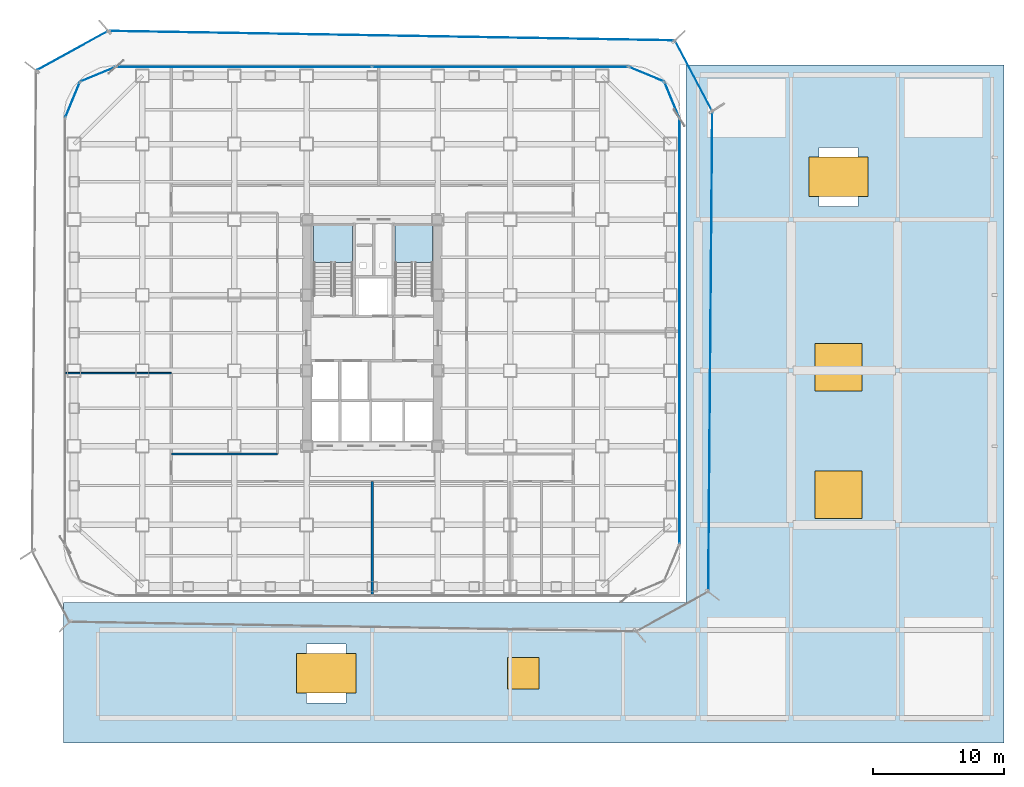
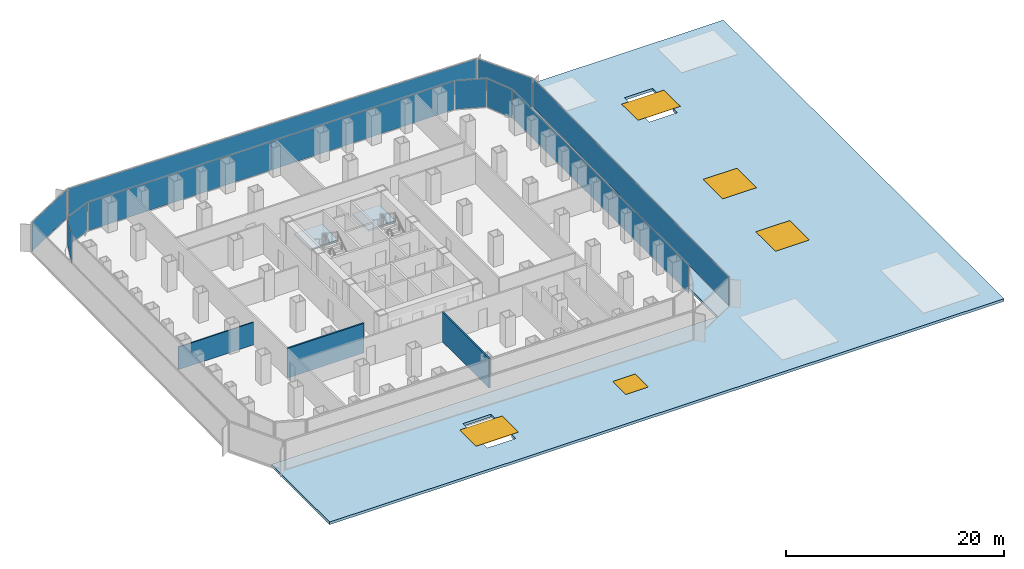
# One storey, part 22 of 27: 11 plates, 5 windows, 3 slabs, 3 walls, 5 openings, 12 elements without a shape of their own.
"""IFC4 building model written with IfcOpenShell, lengths in metres."""

from ifc_helpers import new_model, si_unit, direction, frame, frame_2d, origin, origin_2d, place, context, subcontext, project, spatial, polyline, rectangle, outline, extrude, source, transform, mapped, material, layer, layer_set, type_object, element, fill, aggregate, save


model = new_model("IFC4")

# Units and contexts
model_context = context("Model", 3, precision=1e-05, world=origin(), true_north=direction((0.0, 1.0)))
body_context = subcontext(model_context, "Body", "Model", "MODEL_VIEW")
ifc_project = project(units=[si_unit("LENGTHUNIT", "METRE"), si_unit("AREAUNIT", "SQUARE_METRE"), si_unit("VOLUMEUNIT", "CUBIC_METRE"), si_unit("PLANEANGLEUNIT", "RADIAN"), si_unit("MASSUNIT", "GRAM", prefix="KILO")], contexts=[model_context])

# Site, building, storey
site_placement = place(None, origin())
site = spatial("IfcSite", under=ifc_project, at=site_placement, CompositionType="ELEMENT")
building_placement = place(site_placement, origin())
building = spatial("IfcBuilding", under=site, at=building_placement, Name="Kolveth Station Tower", CompositionType="ELEMENT")
storey_placement = place(building_placement, frame((0.0, 0.0, 22.5)))
storey = spatial("IfcBuildingStorey", under=building, at=storey_placement, Name="L05", CompositionType="ELEMENT", Elevation=22.5)

# Stair, slab
ifc_material_1 = material(Name="Concrete C40/50", Category="concrete")
stair_type_1 = type_object("IfcStairType", Name="Stair_ST2", PredefinedType="HALF_TURN_STAIR", material=ifc_material_1)
stair_1_placement = place(storey_placement, origin())
stair_1 = element("IfcStair", 1, at=stair_1_placement, inside=storey, type_object=stair_type_1, Name="L05 Tower Exit Stair ST2", PredefinedType="HALF_TURN_STAIR")
ifc_layer_1 = layer(ifc_material_1, 0.18994140625)
ifc_layer_set_1 = layer_set([ifc_layer_1], Name="Concrete C40/50")
slab_type_1 = type_object("IfcSlabType", Name="Slab_SL-190", PredefinedType="LANDING", material=ifc_layer_set_1)
slab_1_placement = place(storey_placement, frame((0.0, 0.0, 1.60009765625)))
slab_1 = element("IfcSlab", 2, at=slab_1_placement, type_object=slab_type_1, Name="ST2 landing 1", PredefinedType="LANDING", context=body_context, shape_type="SweptSolid", body=[
    extrude(outline(polyline([(28.10009765625, 25.469970703125), (28.10009765625, 28.39990234375), (25.239990234375, 28.39990234375), (25.239990234375, 25.469970703125), (28.10009765625, 25.469970703125)])), origin(), (0.0, 0.0, 1.0), 0.199951171875),
])
aggregate(stair_1, [slab_1])

stair_type_2 = type_object("IfcStairType", Name="Stair_ST1", PredefinedType="HALF_TURN_STAIR", material=ifc_material_1)
stair_2_placement = place(storey_placement, origin())
stair_2 = element("IfcStair", 3, at=stair_2_placement, inside=storey, type_object=stair_type_2, Name="L05 Tower Exit Stair ST1", PredefinedType="HALF_TURN_STAIR")
ifc_layer_2 = layer(ifc_material_1, 0.205078125)
ifc_layer_set_2 = layer_set([ifc_layer_2], Name="Concrete C40/50")
slab_type_2 = type_object("IfcSlabType", Name="Slab_SL-205", PredefinedType="LANDING", material=ifc_layer_set_2)
slab_2_placement = place(storey_placement, frame((0.0, 0.0, 1.60009765625)))
slab_2 = element("IfcSlab", 4, at=slab_2_placement, type_object=slab_type_2, Name="ST1 landing 1", PredefinedType="LANDING", context=body_context, shape_type="SweptSolid", body=[
    extrude(outline(polyline([(22.0, 25.469970703125), (22.0, 28.39990234375), (19.0400390625, 28.39990234375), (19.0400390625, 25.469970703125), (22.0, 25.469970703125)])), origin(), (0.0, 0.0, 1.0), 0.199951171875),
])
aggregate(stair_2, [slab_2])

# Slab, openings, windows
ifc_material_2 = material(Name="Concrete C45/55", Category="concrete")
ifc_layer_3 = layer(ifc_material_2, 0.300048828125)
ifc_layer_set_3 = layer_set([ifc_layer_3], Name="Concrete C45/55")
slab_type_3 = type_object("IfcSlabType", Name="Slab_SR-300", PredefinedType="ROOF", material=ifc_layer_set_3)
slab_3_placement = place(storey_placement, frame((0.0, 0.0, -0.300048828125)))
slab_3 = element("IfcSlab", 5, at=slab_3_placement, inside=storey, type_object=slab_type_3, Name="L05 Intermodal Station Canopy Roof Slab", PredefinedType="ROOF", context=body_context, shape_type="SweptSolid", body=[
    extrude(outline(polyline([(0.0, -11.10009765625), (71.60009765625, -11.10009765625), (71.60009765625, 40.5), (47.39990234375, 40.5), (47.39990234375, -0.39990234375), (0.0, -0.39990234375), (0.0, -11.10009765625)]), holes=[polyline([(57.199951171875, 6.0), (60.800048828125, 6.0), (60.800048828125, 9.60009765625), (57.199951171875, 9.60009765625), (57.199951171875, 6.0)]), polyline([(57.199951171875, 15.699951171875), (60.800048828125, 15.699951171875), (60.800048828125, 19.300048828125), (57.199951171875, 19.300048828125), (57.199951171875, 15.699951171875)]), polyline([(57.5, 29.75), (60.5, 29.75), (60.5, 34.25), (57.5, 34.25), (57.5, 29.75)]), polyline([(18.5, -8.050048828125), (21.5, -8.050048828125), (21.5, -3.550048828125), (18.5, -3.550048828125), (18.5, -8.050048828125)]), polyline([(33.800048828125, -7.0), (36.199951171875, -7.0), (36.199951171875, -4.60009765625), (33.800048828125, -4.60009765625), (33.800048828125, -7.0)])]), origin(), (0.0, 0.0, 1.0), 0.300048828125),
])
opening_1_placement = place(slab_3_placement, frame((59.0, 7.800048828125, -0.010009765625)))
opening_1 = element("IfcOpeningElement", 6, at=opening_1_placement, cuts=slab_3, Name="Opening SK1", PredefinedType="OPENING", context=body_context, shape_type="SweptSolid", body=[
    extrude(rectangle(XDim=3.60009765625, YDim=3.60009765625, at=origin_2d()), origin(), (0.0, 0.0, 1.0), 0.320068359375),
])
opening_2_placement = place(slab_3_placement, frame((59.0, 17.5, -0.010009765625)))
opening_2 = element("IfcOpeningElement", 7, at=opening_2_placement, cuts=slab_3, Name="Opening SK1", PredefinedType="OPENING", context=body_context, shape_type="SweptSolid", body=[
    extrude(rectangle(XDim=3.60009765625, YDim=3.60009765625, at=origin_2d()), origin(), (0.0, 0.0, 1.0), 0.320068359375),
])
opening_3_placement = place(slab_3_placement, frame((59.0, 32.0, -0.010009765625)))
opening_3 = element("IfcOpeningElement", 8, at=opening_3_placement, cuts=slab_3, Name="Opening SK2", PredefinedType="OPENING", context=body_context, shape_type="SweptSolid", body=[
    extrude(rectangle(XDim=4.5, YDim=3.0, at=origin_2d()), origin(), (0.0, 0.0, 1.0), 0.320068359375),
])
opening_4_placement = place(slab_3_placement, frame((20.0, -5.800048828125, -0.010009765625)))
opening_4 = element("IfcOpeningElement", 9, at=opening_4_placement, cuts=slab_3, Name="Opening SK2", PredefinedType="OPENING", context=body_context, shape_type="SweptSolid", body=[
    extrude(rectangle(XDim=4.5, YDim=3.0, at=origin_2d()), origin(), (0.0, 0.0, 1.0), 0.320068359375),
])
opening_5_placement = place(slab_3_placement, frame((35.0, -5.800048828125, -0.010009765625)))
opening_5 = element("IfcOpeningElement", 10, at=opening_5_placement, cuts=slab_3, Name="Opening SK3", PredefinedType="OPENING", context=body_context, shape_type="SweptSolid", body=[
    extrude(rectangle(XDim=2.39990234375, YDim=2.39990234375, at=origin_2d()), origin(), (0.0, 0.0, 1.0), 0.320068359375),
])
ifc_material_3 = material(Name="Clear laminated skylight glass and aluminium frame", Category="aluminium")
window_type_1 = type_object("IfcWindowType", Name="Win_SK1", PartitioningType="SINGLE_PANEL", PredefinedType="SKYLIGHT", material=ifc_material_3)
window_1_placement = place(opening_1_placement, frame((0.0, 0.0, 0.260009765625)))
window_1 = element("IfcWindow", 11, at=window_1_placement, inside=storey, type_object=window_type_1, Name="L05 Station Canopy Daylight Skylight 1", OverallHeight=3.60009765625, OverallWidth=3.60009765625, PartitioningType="SINGLE_PANEL", PredefinedType="SKYLIGHT", context=body_context, shape_type="SweptSolid", body=[
    extrude(rectangle(XDim=3.60009765625, YDim=3.60009765625, at=origin_2d()), origin(), (0.0, 0.0, 1.0), 0.050048828125),
])
fill(opening_1, window_1)
window_2_placement = place(opening_2_placement, frame((0.0, 0.0, 0.260009765625)))
window_2 = element("IfcWindow", 12, at=window_2_placement, inside=storey, type_object=window_type_1, Name="L05 Station Canopy Daylight Skylight 2", OverallHeight=3.60009765625, OverallWidth=3.60009765625, PartitioningType="SINGLE_PANEL", PredefinedType="SKYLIGHT", context=body_context, shape_type="SweptSolid", body=[
    extrude(rectangle(XDim=3.60009765625, YDim=3.60009765625, at=origin_2d()), origin(), (0.0, 0.0, 1.0), 0.050048828125),
])
fill(opening_2, window_2)
window_type_2 = type_object("IfcWindowType", Name="Win_SK2", PartitioningType="SINGLE_PANEL", PredefinedType="SKYLIGHT", material=ifc_material_3)
window_3_placement = place(opening_3_placement, frame((0.0, 0.0, 0.260009765625)))
window_3 = element("IfcWindow", 13, at=window_3_placement, inside=storey, type_object=window_type_2, Name="L05 Station Canopy Daylight Skylight 3", OverallHeight=3.0, OverallWidth=4.5, PartitioningType="SINGLE_PANEL", PredefinedType="SKYLIGHT", context=body_context, shape_type="SweptSolid", body=[
    extrude(rectangle(XDim=4.5, YDim=3.0, at=origin_2d()), origin(), (0.0, 0.0, 1.0), 0.050048828125),
])
fill(opening_3, window_3)
window_4_placement = place(opening_4_placement, frame((0.0, 0.0, 0.260009765625)))
window_4 = element("IfcWindow", 14, at=window_4_placement, inside=storey, type_object=window_type_2, Name="L05 Station Canopy Daylight Skylight 4", OverallHeight=3.0, OverallWidth=4.5, PartitioningType="SINGLE_PANEL", PredefinedType="SKYLIGHT", context=body_context, shape_type="SweptSolid", body=[
    extrude(rectangle(XDim=4.5, YDim=3.0, at=origin_2d()), origin(), (0.0, 0.0, 1.0), 0.050048828125),
])
fill(opening_4, window_4)
window_type_3 = type_object("IfcWindowType", Name="Win_SK3", PartitioningType="SINGLE_PANEL", PredefinedType="SKYLIGHT", material=ifc_material_3)
window_5_placement = place(opening_5_placement, frame((0.0, 0.0, 0.260009765625)))
window_5 = element("IfcWindow", 15, at=window_5_placement, inside=storey, type_object=window_type_3, Name="L05 Station Canopy Daylight Skylight 5", OverallHeight=2.39990234375, OverallWidth=2.39990234375, PartitioningType="SINGLE_PANEL", PredefinedType="SKYLIGHT", context=body_context, shape_type="SweptSolid", body=[
    extrude(rectangle(XDim=2.39990234375, YDim=2.39990234375, at=origin_2d()), origin(), (0.0, 0.0, 1.0), 0.050048828125),
])
fill(opening_5, window_5)

# Curtain wall, plate
ifc_material_4 = material(Name="Aluminium 6063-T6 and low-E dark glass", Category="aluminium")
ifc_layer_4 = layer(ifc_material_4, 0.179931640625)
ifc_layer_set_4 = layer_set([ifc_layer_4], Name="Aluminium 6063-T6 and low-E dark glass")
curtain_wall_type_1 = type_object("IfcCurtainWallType", Name="CurtainWall_CW-Z1", PredefinedType="NOTDEFINED", material=ifc_layer_set_4)
curtain_wall_1_placement = place(storey_placement, origin())
curtain_wall_1 = element("IfcCurtainWall", 16, at=curtain_wall_1_placement, inside=storey, type_object=curtain_wall_type_1, Name="L05 Inner Thermal Curtain Wall 4", PredefinedType="NOTDEFINED")
ifc_material_5 = material(Name="Architectural low-E dark glass", Category="glass")
ifc_layer_5 = layer(ifc_material_5, 0.035888671875)
ifc_layer_set_5 = layer_set([ifc_layer_5], Name="Architectural low-E dark glass")
plate_type_1 = type_object("IfcPlateType", Name="Panel_GL1", PredefinedType="CURTAIN_PANEL", material=ifc_layer_set_5)
shared_shape_1 = source(origin(), body_context, "Body", "SweptSolid", [
    extrude(rectangle(XDim=2.83349609375, YDim=0.035888671875, at=origin_2d()), origin(), (0.0, 0.0, 1.0), 3.18408203125),
])
plate_1_placement = place(storey_placement, frame((46.311767578125, 37.871826171875, 0.06787109375), z_axis=(0.0, 0.0, 1.0), x_axis=(-0.382672990201, 0.923883857728, 0.0)))
plate_1 = element("IfcPlate", 17, at=plate_1_placement, type_object=plate_type_1, Name="CW-Z1 panel 1.1", PredefinedType="CURTAIN_PANEL", context=body_context, shape_type="MappedRepresentation", body=[
    mapped(shared_shape_1, transform((0.0, 0.0, 0.0), x_axis=(1.0, 0.0, 0.0), y_axis=(0.0, 1.0, 0.0), z_axis=(0.0, 0.0, 1.0), scale=1.0)),
])
aggregate(curtain_wall_1, [plate_1])

curtain_wall_2_placement = place(storey_placement, origin())
curtain_wall_2 = element("IfcCurtainWall", 18, at=curtain_wall_2_placement, inside=storey, type_object=curtain_wall_type_1, Name="L05 Inner Thermal Curtain Wall 5", PredefinedType="NOTDEFINED")
plate_2_placement = place(storey_placement, frame((44.371826171875, 39.811767578125, 0.06787109375), z_axis=(0.0, 0.0, 1.0), x_axis=(-0.923883857728, 0.382672990201, 0.0)))
plate_2 = element("IfcPlate", 19, at=plate_2_placement, type_object=plate_type_1, Name="CW-Z1 panel 1.1", PredefinedType="CURTAIN_PANEL", context=body_context, shape_type="MappedRepresentation", body=[
    mapped(shared_shape_1, transform((0.0, 0.0, 0.0), x_axis=(1.0, 0.0, 0.0), y_axis=(0.0, 1.0, 0.0), z_axis=(0.0, 0.0, 1.0), scale=1.0)),
])
aggregate(curtain_wall_2, [plate_2])

curtain_wall_3_placement = place(storey_placement, origin())
curtain_wall_3 = element("IfcCurtainWall", 20, at=curtain_wall_3_placement, inside=storey, type_object=curtain_wall_type_1, Name="L05 Inner Thermal Curtain Wall 7", PredefinedType="NOTDEFINED")
plate_3_placement = place(storey_placement, frame((2.628173828125, 39.811767578125, 0.06787109375), z_axis=(0.0, 0.0, 1.0), x_axis=(-0.923883857728, -0.382672990201, 0.0)))
plate_3 = element("IfcPlate", 21, at=plate_3_placement, type_object=plate_type_1, Name="CW-Z1 panel 1.1", PredefinedType="CURTAIN_PANEL", context=body_context, shape_type="MappedRepresentation", body=[
    mapped(shared_shape_1, transform((0.0, 0.0, 0.0), x_axis=(1.0, 0.0, 0.0), y_axis=(0.0, 1.0, 0.0), z_axis=(0.0, 0.0, 1.0), scale=1.0)),
])
aggregate(curtain_wall_3, [plate_3])

curtain_wall_4_placement = place(storey_placement, origin())
curtain_wall_4 = element("IfcCurtainWall", 22, at=curtain_wall_4_placement, inside=storey, type_object=curtain_wall_type_1, Name="L05 Inner Thermal Curtain Wall 8", PredefinedType="NOTDEFINED")
plate_4_placement = place(storey_placement, frame((0.688232421875, 37.871826171875, 0.06787109375), z_axis=(0.0, 0.0, 1.0), x_axis=(-0.382672990201, -0.923883857728, 0.0)))
plate_4 = element("IfcPlate", 23, at=plate_4_placement, type_object=plate_type_1, Name="CW-Z1 panel 1.1", PredefinedType="CURTAIN_PANEL", context=body_context, shape_type="MappedRepresentation", body=[
    mapped(shared_shape_1, transform((0.0, 0.0, 0.0), x_axis=(1.0, 0.0, 0.0), y_axis=(0.0, 1.0, 0.0), z_axis=(0.0, 0.0, 1.0), scale=1.0)),
])
aggregate(curtain_wall_4, [plate_4])

curtain_wall_5_placement = place(storey_placement, origin())
curtain_wall_5 = element("IfcCurtainWall", 24, at=curtain_wall_5_placement, inside=storey, type_object=curtain_wall_type_1, Name="L05 Inner Thermal Curtain Wall 3", PredefinedType="NOTDEFINED")
shared_shape_2 = source(origin(), body_context, "Body", "SweptSolid", [
    extrude(rectangle(XDim=32.364013671875, YDim=0.035888671875, at=origin_2d()), origin(), (0.0, 0.0, 1.0), 3.18408203125),
])
plate_5_placement = place(storey_placement, frame((46.8798828125, 20.25, 0.06787109375), z_axis=(0.0, 0.0, 1.0), x_axis=(0.0, 1.0, 0.0)))
plate_5 = element("IfcPlate", 25, at=plate_5_placement, type_object=plate_type_1, Name="CW-Z1 panel 1.1", PredefinedType="CURTAIN_PANEL", context=body_context, shape_type="MappedRepresentation", body=[
    mapped(shared_shape_2, transform((0.0, 0.0, 0.0), x_axis=(1.0, 0.0, 0.0), y_axis=(0.0, 1.0, 0.0), z_axis=(0.0, 0.0, 1.0), scale=1.0)),
])
aggregate(curtain_wall_5, [plate_5])

# Curtain wall, plates
curtain_wall_6_placement = place(storey_placement, origin())
curtain_wall_6 = element("IfcCurtainWall", 26, at=curtain_wall_6_placement, inside=storey, type_object=curtain_wall_type_1, Name="L05 Inner Thermal Curtain Wall 6", PredefinedType="NOTDEFINED")
shared_shape_3 = source(origin(), body_context, "Body", "SweptSolid", [
    extrude(rectangle(XDim=19.401611328125, YDim=0.035888671875, at=origin_2d()), origin(), (0.0, 0.0, 1.0), 3.18408203125),
])
plate_6_placement = place(storey_placement, frame((33.231201171875, 40.3798828125, 0.06787109375), z_axis=(0.0, 0.0, 1.0), x_axis=(-1.0, 0.0, 0.0)))
plate_6 = element("IfcPlate", 27, at=plate_6_placement, type_object=plate_type_1, Name="CW-Z1 panel 1.1", PredefinedType="CURTAIN_PANEL", context=body_context, shape_type="MappedRepresentation", body=[
    mapped(shared_shape_3, transform((0.0, 0.0, 0.0), x_axis=(1.0, 0.0, 0.0), y_axis=(0.0, 1.0, 0.0), z_axis=(0.0, 0.0, 1.0), scale=1.0)),
])
plate_7_placement = place(storey_placement, frame((13.768798828125, 40.3798828125, 0.06787109375), z_axis=(0.0, 0.0, 1.0), x_axis=(-1.0, 0.0, 0.0)))
plate_7 = element("IfcPlate", 28, at=plate_7_placement, type_object=plate_type_1, Name="CW-Z1 panel 2.1", PredefinedType="CURTAIN_PANEL", context=body_context, shape_type="MappedRepresentation", body=[
    mapped(shared_shape_3, transform((0.0, 0.0, 0.0), x_axis=(1.0, 0.0, 0.0), y_axis=(0.0, 1.0, 0.0), z_axis=(0.0, 0.0, 1.0), scale=1.0)),
])
aggregate(curtain_wall_6, [plate_6, plate_7])

# Curtain wall, plate
ifc_material_6 = material(Name="Black anodized aluminium 6063-T6 and dark solar glass", Category="aluminium")
ifc_layer_6 = layer(ifc_material_6, 0.159912109375)
ifc_layer_set_6 = layer_set([ifc_layer_6], Name="Black anodized aluminium 6063-T6 and dark solar glass")
curtain_wall_type_2 = type_object("IfcCurtainWallType", Name="OUTER SKIN CW-OS", PredefinedType="NOTDEFINED", material=ifc_layer_set_6)
curtain_wall_7_placement = place(storey_placement, origin())
curtain_wall_7 = element("IfcCurtainWall", 29, at=curtain_wall_7_placement, inside=storey, type_object=curtain_wall_type_2, Name="L05 Outer Ventilated Skin Curtain Wall 2", PredefinedType="NOTDEFINED")
ifc_layer_7 = layer(ifc_material_5, 0.028076171875)
ifc_layer_set_7 = layer_set([ifc_layer_7], Name="Architectural low-E dark glass")
plate_type_2 = type_object("IfcPlateType", Name="Panel_GL-OS", PredefinedType="CURTAIN_PANEL", material=ifc_layer_set_7)
shared_shape_4 = source(origin(), body_context, "Body", "SweptSolid", [
    extrude(rectangle(XDim=36.430908203125, YDim=0.028076171875, at=origin_2d()), origin(), (0.0, 0.0, 1.0), 3.243896484375),
])
plate_8_placement = place(storey_placement, frame((49.241455078125, 18.712158203125, 0.0732421875), z_axis=(0.0, 0.0, 1.0), x_axis=(0.008339510403, 0.999965225678, 0.0)))
plate_8 = element("IfcPlate", 30, at=plate_8_placement, type_object=plate_type_2, Name="CW-OS panel 1.1", PredefinedType="CURTAIN_PANEL", context=body_context, shape_type="MappedRepresentation", body=[
    mapped(shared_shape_4, transform((0.0, 0.0, 0.0), x_axis=(1.0, 0.0, 0.0), y_axis=(0.0, 1.0, 0.0), z_axis=(0.0, 0.0, 1.0), scale=1.0)),
])
aggregate(curtain_wall_7, [plate_8])

curtain_wall_8_placement = place(storey_placement, origin())
curtain_wall_8 = element("IfcCurtainWall", 31, at=curtain_wall_8_placement, inside=storey, type_object=curtain_wall_type_2, Name="L05 Outer Ventilated Skin Curtain Wall 3", PredefinedType="NOTDEFINED")
shared_shape_5 = source(origin(), body_context, "Body", "SweptSolid", [
    extrude(rectangle(XDim=5.920166015625, YDim=0.028076171875, at=origin_2d()), origin(), (0.0, 0.0, 1.0), 3.243896484375),
])
plate_9_placement = place(storey_placement, frame((47.96875, 39.698486328125, 0.0732421875), z_axis=(0.0, 0.0, 1.0), x_axis=(-0.468381376008, 0.883526392707, 0.0)))
plate_9 = element("IfcPlate", 32, at=plate_9_placement, type_object=plate_type_2, Name="CW-OS panel 1.1", PredefinedType="CURTAIN_PANEL", context=body_context, shape_type="MappedRepresentation", body=[
    mapped(shared_shape_5, transform((0.0, 0.0, 0.0), x_axis=(1.0, 0.0, 0.0), y_axis=(0.0, 1.0, 0.0), z_axis=(0.0, 0.0, 1.0), scale=1.0)),
])
aggregate(curtain_wall_8, [plate_9])

curtain_wall_9_placement = place(storey_placement, origin())
curtain_wall_9 = element("IfcCurtainWall", 33, at=curtain_wall_9_placement, inside=storey, type_object=curtain_wall_type_2, Name="L05 Outer Ventilated Skin Curtain Wall 4", PredefinedType="NOTDEFINED")
shared_shape_6 = source(origin(), body_context, "Body", "SweptSolid", [
    extrude(rectangle(XDim=42.979248046875, YDim=0.028076171875, at=origin_2d()), origin(), (0.0, 0.0, 1.0), 3.243896484375),
])
plate_10_placement = place(storey_placement, frame((24.973876953125, 42.7470703125, 0.0732421875), z_axis=(0.0, 0.0, 1.0), x_axis=(-0.999860864424, 0.016680881064, 0.0)))
plate_10 = element("IfcPlate", 34, at=plate_10_placement, type_object=plate_type_2, Name="CW-OS panel 1.1", PredefinedType="CURTAIN_PANEL", context=body_context, shape_type="MappedRepresentation", body=[
    mapped(shared_shape_6, transform((0.0, 0.0, 0.0), x_axis=(1.0, 0.0, 0.0), y_axis=(0.0, 1.0, 0.0), z_axis=(0.0, 0.0, 1.0), scale=1.0)),
])
aggregate(curtain_wall_9, [plate_10])

curtain_wall_10_placement = place(storey_placement, origin())
curtain_wall_10 = element("IfcCurtainWall", 35, at=curtain_wall_10_placement, inside=storey, type_object=curtain_wall_type_2, Name="L05 Outer Ventilated Skin Curtain Wall 5", PredefinedType="NOTDEFINED")
shared_shape_7 = source(origin(), body_context, "Body", "SweptSolid", [
    extrude(rectangle(XDim=6.10302734375, YDim=0.028076171875, at=origin_2d()), origin(), (0.0, 0.0, 1.0), 3.243896484375),
])
plate_11_placement = place(storey_placement, frame((0.65771484375, 41.59619140625, 0.0732421875), z_axis=(0.0, 0.0, 1.0), x_axis=(-0.876219276548, -0.481912626319, 0.0)))
plate_11 = element("IfcPlate", 36, at=plate_11_placement, type_object=plate_type_2, Name="CW-OS panel 1.1", PredefinedType="CURTAIN_PANEL", context=body_context, shape_type="MappedRepresentation", body=[
    mapped(shared_shape_7, transform((0.0, 0.0, 0.0), x_axis=(1.0, 0.0, 0.0), y_axis=(0.0, 1.0, 0.0), z_axis=(0.0, 0.0, 1.0), scale=1.0)),
])
aggregate(curtain_wall_10, [plate_11])

# Walls
ifc_material_7 = material(Name="Framed gypsum partition")
ifc_layer_8 = layer(ifc_material_7, 0.114990234375)
ifc_layer_set_8 = layer_set([ifc_layer_8], Name="Framed gypsum partition")
wall_type_1 = type_object("IfcWallType", Name="Wall_IW-115", PredefinedType="PARTITIONING", material=ifc_layer_set_8)
wall_1_placement = place(storey_placement, frame((0.159912109375, 17.050048828125, 0.0), z_axis=(0.0, 0.0, 1.0), x_axis=(1.0, 0.0, 0.0)))
element("IfcWall", 37, at=wall_1_placement, inside=storey, type_object=wall_type_1, Name="L05 Partition Wall WL-L05-OWM", PredefinedType="PARTITIONING", context=body_context, shape_type="SweptSolid", body=[
    extrude(rectangle(XDim=8.0400390625, YDim=0.114990234375, at=frame_2d((4.02001953125, 0.0))), origin(), (0.0, 0.0, 1.0), 2.5390625),
])
ifc_material_8 = material(Name="Acoustic double-stud gypsum partition")
ifc_layer_9 = layer(ifc_material_8, 0.1650390625)
ifc_layer_set_9 = layer_set([ifc_layer_9], Name="Acoustic double-stud gypsum partition")
wall_type_2 = type_object("IfcWallType", Name="Wall_IW-165", PredefinedType="PARTITIONING", material=ifc_layer_set_9)
wall_2_placement = place(storey_placement, frame((8.199951171875, 10.89990234375, 0.0), z_axis=(0.0, 0.0, 1.0), x_axis=(1.0, 0.0, 0.0)))
element("IfcWall", 38, at=wall_2_placement, inside=storey, type_object=wall_type_2, Name="L05 Partition Wall WL-L05-OSWT", PredefinedType="PARTITIONING", context=body_context, shape_type="SweptSolid", body=[
    extrude(rectangle(XDim=8.10009765625, YDim=0.1650390625, at=frame_2d((4.050048828125, 0.0))), origin(), (0.0, 0.0, 1.0), 3.320068359375),
])
wall_3_placement = place(storey_placement, frame((23.5, 0.159912109375, 0.0), z_axis=(0.0, 0.0, 1.0), x_axis=(0.0, 1.0, 0.0)))
element("IfcWall", 39, at=wall_3_placement, inside=storey, type_object=wall_type_2, Name="L05 Partition Wall WL-L05-OS-P1", PredefinedType="PARTITIONING", context=body_context, shape_type="SweptSolid", body=[
    extrude(rectangle(XDim=8.64013671875, YDim=0.1650390625, at=frame_2d((4.320068359375, 0.0))), origin(), (0.0, 0.0, 1.0), 3.320068359375),
])

save(model, "model.ifc")
